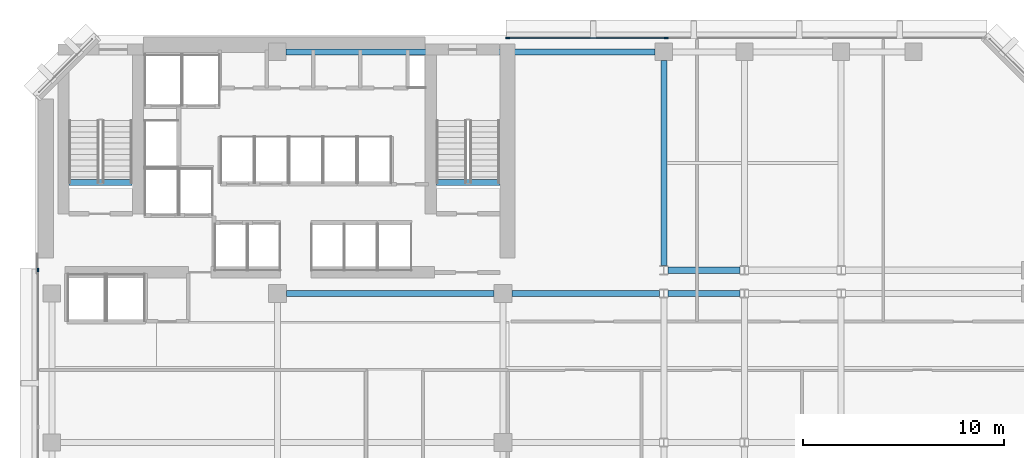
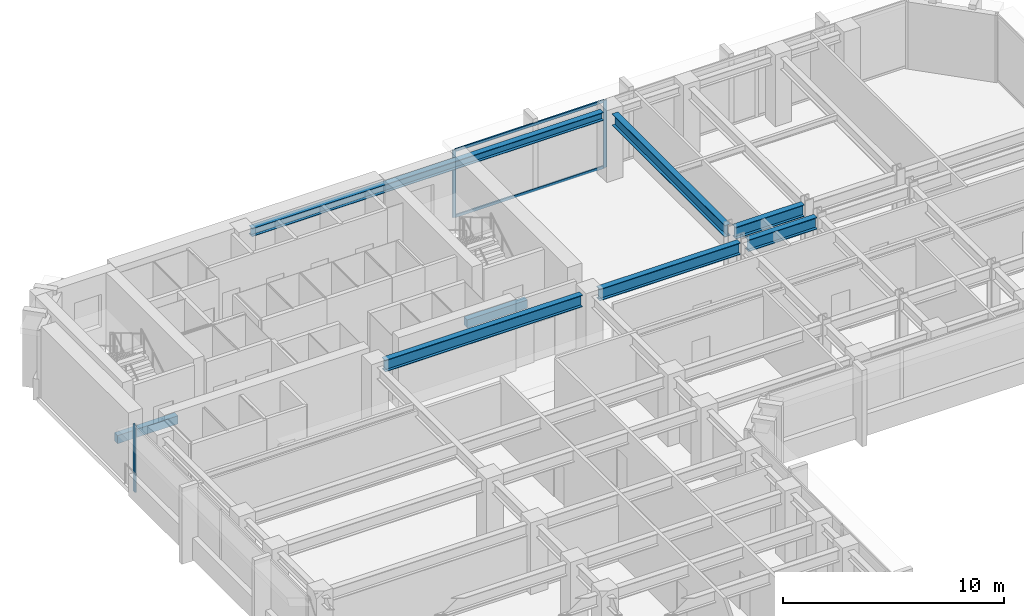
# One storey, part 4 of 12: 8 beams, 5 members, 2 elements without a shape of their own.
"""IFC4 building model written with IfcOpenShell, lengths in metres."""

from ifc_helpers import new_model, si_unit, direction, frame, origin, origin_2d, place, context, subcontext, project, spatial, rectangle, i_section, extrude, material, layer, layer_set, material_profile, profile_set, type_object, element, aggregate, save


model = new_model("IFC4")

# Units and contexts
model_context = context("Model", 3, precision=1e-05, world=origin(), true_north=direction((0.0, 1.0)))
body_context = subcontext(model_context, "Body", "Model", "MODEL_VIEW")
ifc_project = project(units=[si_unit("LENGTHUNIT", "METRE"), si_unit("AREAUNIT", "SQUARE_METRE"), si_unit("VOLUMEUNIT", "CUBIC_METRE"), si_unit("PLANEANGLEUNIT", "RADIAN"), si_unit("MASSUNIT", "GRAM", prefix="KILO")], contexts=[model_context])

# Site, building, storey
site_placement = place(None, origin())
site = spatial("IfcSite", under=ifc_project, at=site_placement, CompositionType="ELEMENT")
building_placement = place(site_placement, origin())
building = spatial("IfcBuilding", under=site, at=building_placement, Name="Kefirva Bronze Tower", CompositionType="ELEMENT")
storey_placement = place(building_placement, frame((0.0, 0.0, 126.389892578125)))
storey = spatial("IfcBuildingStorey", under=building, at=storey_placement, Name="L30", CompositionType="ELEMENT", Elevation=126.389892578125)

# Curtain wall, members
ifc_material_1 = material(Name="Bronze anodised aluminium", Category="aluminium")
ifc_layer = layer(ifc_material_1, 0.199951171875, Name="Bronze anodised aluminium")
ifc_layer_set = layer_set([ifc_layer], Name="Bronze anodised aluminium")
curtain_wall_type = type_object("IfcCurtainWallType", Name="Unitised Bronze Ribbon Curtain Wall Zone 2", PredefinedType="USERDEFINED", material=ifc_layer_set)
curtain_wall_1_placement = place(storey_placement, origin())
curtain_wall_1 = element("IfcCurtainWall", 1, at=curtain_wall_1_placement, inside=storey, type_object=curtain_wall_type, Name="L30 Curtain Wall 5", ObjectType="UNITISED CURTAIN WALL", PredefinedType="USERDEFINED")
ifc_material_profile_1 = material_profile(ifc_material_1, rectangle(XDim=0.074951171875, YDim=0.179931640625, at=origin_2d()), Name="ALU 75x180")
ifc_profile_set_1 = profile_set([ifc_material_profile_1], Name="Bronze anodised aluminium")
member_type_1 = type_object("IfcMemberType", Name="Bronze Mullion 75x180", PredefinedType="MULLION", material=ifc_profile_set_1)
member_1_placement = place(storey_placement, frame((31.318359375, 45.8798828125, 0.0), z_axis=(0.0, 0.0, 1.0), x_axis=(0.0, -1.0, 0.0)))
member_1 = element("IfcMember", 2, at=member_1_placement, type_object=member_type_1, Name="CW-02 mullion 3", PredefinedType="MULLION", context=body_context, shape_type="SweptSolid", body=[
    extrude(rectangle(XDim=0.074951171875, YDim=0.179931640625, at=origin_2d()), origin(), (0.0, 0.0, 1.0), 3.710205078125),
])
member_2_placement = place(storey_placement, frame((23.4423828125, 45.8798828125, 0.0), z_axis=(0.0, 0.0, 1.0), x_axis=(0.0, -1.0, 0.0)))
member_2 = element("IfcMember", 3, at=member_2_placement, type_object=member_type_1, Name="CW-02 mullion 4", PredefinedType="MULLION", context=body_context, shape_type="SweptSolid", body=[
    extrude(rectangle(XDim=0.074951171875, YDim=0.179931640625, at=origin_2d()), origin(), (0.0, 0.0, 1.0), 3.710205078125),
])

# Curtain wall, member
curtain_wall_2_placement = place(storey_placement, origin())
curtain_wall_2 = element("IfcCurtainWall", 4, at=curtain_wall_2_placement, inside=storey, type_object=curtain_wall_type, Name="L30 Curtain Wall 6", ObjectType="UNITISED CURTAIN WALL", PredefinedType="USERDEFINED")
member_3_placement = place(storey_placement, frame((0.1201171875, 34.357421875, 0.0), z_axis=(0.0, 0.0, 1.0), x_axis=(1.0, 0.0, 0.0)))
member_3 = element("IfcMember", 5, at=member_3_placement, type_object=member_type_1, Name="CW-02 mullion 1", PredefinedType="MULLION", context=body_context, shape_type="SweptSolid", body=[
    extrude(rectangle(XDim=0.074951171875, YDim=0.179931640625, at=origin_2d()), origin(), (0.0, 0.0, 1.0), 3.710205078125),
])
aggregate(curtain_wall_2, [member_3])

# Member
ifc_material_profile_2 = material_profile(ifc_material_1, rectangle(XDim=0.074951171875, YDim=0.14990234375, at=origin_2d()), Name="ALU 75x150")
ifc_profile_set_2 = profile_set([ifc_material_profile_2], Name="Bronze anodised aluminium")
member_type_2 = type_object("IfcMemberType", Name="Bronze Transom 75x150", PredefinedType="USERDEFINED", material=ifc_profile_set_2)
member_4_placement = place(storey_placement, frame((31.28076171875, 45.8798828125, 0.03759765625), z_axis=(-1.0, 0.0, 0.0), x_axis=(0.0, -1.0, 0.0)))
member_4 = element("IfcMember", 6, at=member_4_placement, type_object=member_type_2, Name="CW-02 transom 3.1", ObjectType="TRANSOM", PredefinedType="USERDEFINED", context=body_context, shape_type="SweptSolid", body=[
    extrude(rectangle(XDim=0.074951171875, YDim=0.14990234375, at=origin_2d()), origin(), (0.0, 0.0, 1.0), 7.80078125),
])

member_5_placement = place(storey_placement, frame((31.28076171875, 45.8798828125, 3.672607421875), z_axis=(-1.0, 0.0, 0.0), x_axis=(0.0, -1.0, 0.0)))
member_5 = element("IfcMember", 7, at=member_5_placement, type_object=member_type_2, Name="CW-02 transom 3.2", ObjectType="TRANSOM", PredefinedType="USERDEFINED", context=body_context, shape_type="SweptSolid", body=[
    extrude(rectangle(XDim=0.074951171875, YDim=0.14990234375, at=origin_2d()), origin(), (0.0, 0.0, 1.0), 7.80078125),
])

aggregate(curtain_wall_1, [member_1, member_2, member_4, member_5])

# Beams
ifc_material_2 = material(Name="Concrete C50/60", Category="concrete")
ifc_material_profile_3 = material_profile(ifc_material_2, rectangle(XDim=0.300048828125, YDim=0.449951171875, at=origin_2d()), Name="RC 300x450")
ifc_profile_set_3 = profile_set([ifc_material_profile_3], Name="Concrete C50/60")
beam_type_1 = type_object("IfcBeamType", Name="RC Stair Trimmer Beam 300x450", PredefinedType="BEAM", material=ifc_profile_set_3)
beam_1_placement = place(storey_placement, frame((1.64501953125, 38.699951171875, -0.224853515625), z_axis=(1.0, 0.0, 0.0), x_axis=(0.0, 1.0, 0.0)))
element("IfcBeam", 8, at=beam_1_placement, inside=storey, type_object=beam_type_1, Name="L30 Stair 1 Landing Trimmer Beam", PredefinedType="BEAM", context=body_context, shape_type="SweptSolid", body=[
    extrude(rectangle(XDim=0.300048828125, YDim=0.449951171875, at=origin_2d()), origin(), (0.0, 0.0, 1.0), 3.14990234375),
])
beam_2_placement = place(storey_placement, frame((19.89501953125, 38.699951171875, -0.224853515625), z_axis=(1.0, 0.0, 0.0), x_axis=(0.0, 1.0, 0.0)))
element("IfcBeam", 9, at=beam_2_placement, inside=storey, type_object=beam_type_1, Name="L30 Stair 2 Landing Trimmer Beam", PredefinedType="BEAM", context=body_context, shape_type="SweptSolid", body=[
    extrude(rectangle(XDim=0.300048828125, YDim=0.449951171875, at=origin_2d()), origin(), (0.0, 0.0, 1.0), 3.159912109375),
])
ifc_material_3 = material(Name="Steel S355", Category="steel")
ifc_material_profile_4 = material_profile(ifc_material_3, i_section(OverallWidth=0.300048828125, OverallDepth=0.64990234375, WebThickness=0.01611328125, FlangeThickness=0.031005859375, at=origin_2d()), Name="HEB 650")
ifc_profile_set_4 = profile_set([ifc_material_profile_4], Name="Steel S355")
beam_type_2 = type_object("IfcBeamType", Name="Steel Girder HEB 650", PredefinedType="USERDEFINED", material=ifc_profile_set_4)
beam_3_placement = place(storey_placement, frame((12.449951171875, 33.199951171875, 3.385009765625), z_axis=(1.0, 0.0, 0.0), x_axis=(0.0, 1.0, 0.0)))
element("IfcBeam", 10, at=beam_3_placement, inside=storey, type_object=beam_type_2, Name="L30 BM-L30-EW-12-332", ObjectType="GIRDER", PredefinedType="USERDEFINED", context=body_context, shape_type="SweptSolid", body=[
    extrude(i_section(OverallWidth=0.300048828125, OverallDepth=0.64990234375, WebThickness=0.01611328125, FlangeThickness=0.031005859375, at=origin_2d()), origin(), (0.0, 0.0, 1.0), 10.300048828125),
])
beam_4_placement = place(storey_placement, frame((23.64990234375, 33.199951171875, 3.385009765625), z_axis=(1.0, 0.0, 0.0), x_axis=(0.0, 1.0, 0.0)))
element("IfcBeam", 11, at=beam_4_placement, inside=storey, type_object=beam_type_2, Name="L30 BM-L30-EW-23-332", ObjectType="GIRDER", PredefinedType="USERDEFINED", context=body_context, shape_type="SweptSolid", body=[
    extrude(i_section(OverallWidth=0.300048828125, OverallDepth=0.64990234375, WebThickness=0.01611328125, FlangeThickness=0.031005859375, at=origin_2d()), origin(), (0.0, 0.0, 1.0), 7.341064453125),
])
for number, where, z_axis, x_axis, name in (
    (12, (31.408935546875, 33.199951171875, 3.385009765625), (1.0, 0.0, 0.0), (0.0, 1.0, 0.0), "L30 BM-L30-EW-31-332"),
    (13, (31.408935546875, 34.35009765625, 3.385009765625), (1.0, 0.0, 0.0), (0.0, 1.0, 0.0), "L30 BM-L30-EW-31-344"),
):
    element("IfcBeam", number, at=place(storey_placement, frame(where, z_axis=z_axis, x_axis=x_axis)), inside=storey, type_object=beam_type_2, Name=name, ObjectType="GIRDER", PredefinedType="USERDEFINED", context=body_context, shape_type="SweptSolid", body=[
        extrude(i_section(OverallWidth=0.300048828125, OverallDepth=0.64990234375, WebThickness=0.01611328125, FlangeThickness=0.031005859375, at=origin_2d()), origin(), (0.0, 0.0, 1.0), 3.58203125),
    ])
beam_5_placement = place(storey_placement, frame((31.199951171875, 34.577392578125, 3.385009765625), z_axis=(0.0, 1.0, 0.0), x_axis=(-1.0, 0.0, 0.0)))
element("IfcBeam", 14, at=beam_5_placement, inside=storey, type_object=beam_type_2, Name="L30 BM-L30-NS-312-34", ObjectType="GIRDER", PredefinedType="USERDEFINED", context=body_context, shape_type="SweptSolid", body=[
    extrude(i_section(OverallWidth=0.300048828125, OverallDepth=0.64990234375, WebThickness=0.01611328125, FlangeThickness=0.031005859375, at=origin_2d()), origin(), (0.0, 0.0, 1.0), 10.192626953125),
])
ifc_material_profile_5 = material_profile(ifc_material_3, i_section(OverallWidth=0.300048828125, OverallDepth=0.449951171875, WebThickness=0.013916015625, FlangeThickness=0.02587890625, at=origin_2d()), Name="HEB 450")
ifc_profile_set_5 = profile_set([ifc_material_profile_5], Name="Steel S355")
beam_type_3 = type_object("IfcBeamType", Name="Steel Spandrel HEB 450 Ext", PredefinedType="SPANDREL", material=ifc_profile_set_5)
beam_6_placement = place(storey_placement, frame((12.429931640625, 45.199951171875, 3.485107421875), z_axis=(1.0, 0.0, 0.0), x_axis=(0.0, 1.0, 0.0)))
element("IfcBeam", 15, at=beam_6_placement, inside=storey, type_object=beam_type_3, Name="L30 BM-L30-EW-12-452", PredefinedType="SPANDREL", context=body_context, shape_type="SweptSolid", body=[
    extrude(i_section(OverallWidth=0.300048828125, OverallDepth=0.449951171875, WebThickness=0.013916015625, FlangeThickness=0.02587890625, at=origin_2d()), origin(), (0.0, 0.0, 1.0), 18.340087890625),
])

save(model, "model.ifc")
